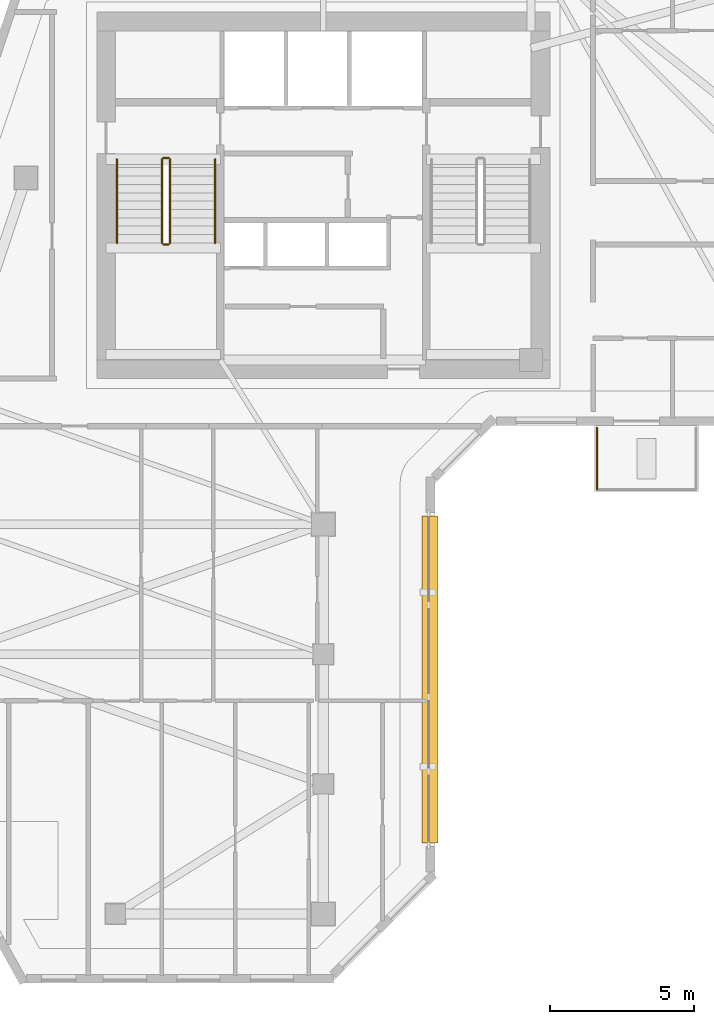
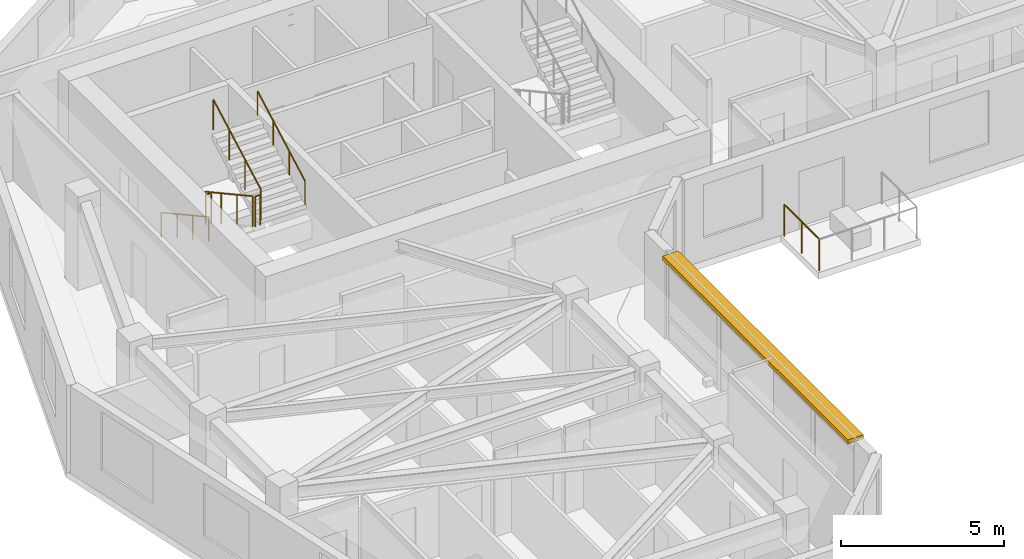
# One storey, part 9 of 11: 7 railings, 1 shading device.
"""IFC4 building model written with IfcOpenShell, lengths in metres."""

from ifc_helpers import new_model, si_unit, direction, frame, frame_2d, origin, origin_2d, place, context, subcontext, project, spatial, rectangle, circle, extrude, material, type_object, element, save


model = new_model("IFC4")

# Units and contexts
model_context = context("Model", 3, precision=1e-05, world=origin(), true_north=direction((0.0, 1.0)))
body_context = subcontext(model_context, "Body", "Model", "MODEL_VIEW")
ifc_project = project(units=[si_unit("LENGTHUNIT", "METRE"), si_unit("AREAUNIT", "SQUARE_METRE"), si_unit("VOLUMEUNIT", "CUBIC_METRE"), si_unit("PLANEANGLEUNIT", "RADIAN"), si_unit("MASSUNIT", "GRAM", prefix="KILO")], contexts=[model_context])

# Site, building, storey
site_placement = place(None, origin())
site = spatial("IfcSite", under=ifc_project, at=site_placement, CompositionType="ELEMENT")
building_placement = place(site_placement, origin())
building = spatial("IfcBuilding", under=site, at=building_placement, Name="Calvemar Wedge Station Tower", CompositionType="ELEMENT")
storey_placement = place(building_placement, frame((0.0, 0.0, 183.39990234375)))
storey = spatial("IfcBuildingStorey", under=building, at=storey_placement, Name="L45", CompositionType="ELEMENT", Elevation=183.39990234375)

# Railings
ifc_material_1 = material(Name="Stainless steel AISI 316L", Category="steel")
railing_type_1 = type_object("IfcRailingType", Name="GRD-TERR-1200", PredefinedType="GUARDRAIL", material=ifc_material_1)
railing_1_placement = place(storey_placement, frame((33.280029296875, 29.7041015625, 0.0)))
element("IfcRailing", 1, at=railing_1_placement, inside=storey, type_object=railing_type_1, Name="Storey L45 Spiral Terrace Guard 4", PredefinedType="GUARDRAIL", context=body_context, shape_type="SweptSolid", body=[
    extrude(circle(Radius=0.02392578125, at=origin_2d()), frame((0.0, 0.0, 1.17578125), z_axis=(0.0, 1.0, 0.0), x_axis=(-1.0, 0.0, 0.0)), (0.0, 0.0, 1.0), 2.139892578125),
    extrude(circle(Radius=0.02099609375, at=origin_2d()), origin(), (0.0, 0.0, 1.0), 1.15185546875),
    extrude(circle(Radius=0.02099609375, at=origin_2d()), frame((0.0, 1.06982421875, 0.0)), (0.0, 0.0, 1.0), 1.15185546875),
    extrude(circle(Radius=0.02099609375, at=origin_2d()), frame((0.0, 2.139892578125, 0.0)), (0.0, 0.0, 1.0), 1.15185546875),
])
railing_type_2 = type_object("IfcRailingType", Name="RL-HANDRAIL-920", PredefinedType="HANDRAIL", material=ifc_material_1)
railing_2_placement = place(storey_placement, frame((16.64990234375, 41.14990234375, 0.1591796875)))
element("IfcRailing", 2, at=railing_2_placement, inside=storey, type_object=railing_type_2, Name="L45 ST-C1 stair handrail 1", PredefinedType="HANDRAIL", context=body_context, shape_type="SweptSolid", body=[
    extrude(circle(Radius=0.02392578125, at=origin_2d()), frame((0.0, 0.0, 0.89599609375), z_axis=(0.0, -0.876742130028, 0.480960744171), x_axis=(1.0, 0.0, 0.0)), (0.0, 0.0, 1.0), 3.3076171875),
    extrude(circle(Radius=0.02099609375, at=origin_2d()), origin(), (0.0, 0.0, 1.0), 0.871826171875),
    extrude(circle(Radius=0.02099609375, at=origin_2d()), frame((0.0, -0.966552734375, 0.5302734375)), (0.0, 0.0, 1.0), 0.871826171875),
    extrude(circle(Radius=0.02099609375, at=origin_2d()), frame((0.0, -1.933349609375, 1.060546875)), (0.0, 0.0, 1.0), 0.871826171875),
    extrude(circle(Radius=0.02099609375, at=origin_2d()), frame((0.0, -2.89990234375, 1.5908203125)), (0.0, 0.0, 1.0), 0.871826171875),
])
railing_3_placement = place(storey_placement, frame((20.050048828125, 38.25, 1.9091796875)))
element("IfcRailing", 3, at=railing_3_placement, inside=storey, type_object=railing_type_2, Name="L45 ST-C1 stair handrail 2", PredefinedType="HANDRAIL", context=body_context, shape_type="SweptSolid", body=[
    extrude(circle(Radius=0.02392578125, at=origin_2d()), frame((0.0, 0.0, 0.89599609375), z_axis=(0.0, 0.876742130028, 0.480960744171), x_axis=(-1.0, 0.0, 0.0)), (0.0, 0.0, 1.0), 3.3076171875),
    extrude(circle(Radius=0.02099609375, at=origin_2d()), origin(), (0.0, 0.0, 1.0), 0.871826171875),
    extrude(circle(Radius=0.02099609375, at=origin_2d()), frame((0.0, 0.966552734375, 0.5302734375)), (0.0, 0.0, 1.0), 0.871826171875),
    extrude(circle(Radius=0.02099609375, at=origin_2d()), frame((0.0, 1.933349609375, 1.060546875)), (0.0, 0.0, 1.0), 0.871826171875),
    extrude(circle(Radius=0.02099609375, at=origin_2d()), frame((0.0, 2.89990234375, 1.5908203125)), (0.0, 0.0, 1.0), 0.871826171875),
])
ifc_material_2 = material(Name="Painted steel guardrail ASTM A500 Grade C", Category="steel")
railing_type_3 = type_object("IfcRailingType", Name="RL-STAIR-GUARD-1150", PredefinedType="GUARDRAIL", material=ifc_material_2)
railing_4_placement = place(storey_placement, frame((18.2099609375, 41.14990234375, 0.1591796875)))
element("IfcRailing", 4, at=railing_4_placement, inside=storey, type_object=railing_type_3, Name="L45 ST-C1 stair guard 1", PredefinedType="GUARDRAIL", context=body_context, shape_type="SweptSolid", body=[
    extrude(circle(Radius=0.02392578125, at=origin_2d()), frame((0.0, 0.0, 1.1259765625), z_axis=(0.0, -0.876742130028, 0.480960744171), x_axis=(1.0, 0.0, 0.0)), (0.0, 0.0, 1.0), 3.3076171875),
    extrude(circle(Radius=0.02099609375, at=origin_2d()), origin(), (0.0, 0.0, 1.0), 1.101806640625),
    extrude(circle(Radius=0.02099609375, at=origin_2d()), frame((0.0, -0.966552734375, 0.5302734375)), (0.0, 0.0, 1.0), 1.101806640625),
    extrude(circle(Radius=0.02099609375, at=origin_2d()), frame((0.0, -1.933349609375, 1.060546875)), (0.0, 0.0, 1.0), 1.101806640625),
    extrude(circle(Radius=0.02099609375, at=origin_2d()), frame((0.0, -2.89990234375, 1.5908203125)), (0.0, 0.0, 1.0), 1.101806640625),
])
railing_5_placement = place(storey_placement, frame((18.260009765625, 38.199951171875, 1.75)))
element("IfcRailing", 5, at=railing_5_placement, inside=storey, type_object=railing_type_3, Name="L45 ST-C1 stair guard 2", PredefinedType="GUARDRAIL", context=body_context, shape_type="SweptSolid", body=[
    extrude(circle(Radius=0.02392578125, at=origin_2d()), frame((0.0, 0.0, 1.1259765625), z_axis=(1.0, 0.0, 0.0), x_axis=(0.0, 1.0, 0.0)), (0.0, 0.0, 1.0), 0.179931640625),
    extrude(circle(Radius=0.02099609375, at=origin_2d()), origin(), (0.0, 0.0, 1.0), 1.101806640625),
    extrude(circle(Radius=0.02099609375, at=origin_2d()), frame((0.179931640625, 0.0, 0.0)), (0.0, 0.0, 1.0), 1.101806640625),
])
railing_6_placement = place(storey_placement, frame((18.489990234375, 38.25, 1.9091796875)))
element("IfcRailing", 6, at=railing_6_placement, inside=storey, type_object=railing_type_3, Name="L45 ST-C1 stair guard 3", PredefinedType="GUARDRAIL", context=body_context, shape_type="SweptSolid", body=[
    extrude(circle(Radius=0.02392578125, at=origin_2d()), frame((0.0, 0.0, 1.1259765625), z_axis=(0.0, 0.876742130028, 0.480960744171), x_axis=(-1.0, 0.0, 0.0)), (0.0, 0.0, 1.0), 3.3076171875),
    extrude(circle(Radius=0.02099609375, at=origin_2d()), origin(), (0.0, 0.0, 1.0), 1.101806640625),
    extrude(circle(Radius=0.02099609375, at=origin_2d()), frame((0.0, 0.966552734375, 0.5302734375)), (0.0, 0.0, 1.0), 1.101806640625),
    extrude(circle(Radius=0.02099609375, at=origin_2d()), frame((0.0, 1.933349609375, 1.060546875)), (0.0, 0.0, 1.0), 1.101806640625),
    extrude(circle(Radius=0.02099609375, at=origin_2d()), frame((0.0, 2.89990234375, 1.5908203125)), (0.0, 0.0, 1.0), 1.101806640625),
])
railing_7_placement = place(storey_placement, frame((18.260009765625, 41.199951171875, 0.0)))
element("IfcRailing", 7, at=railing_7_placement, inside=storey, type_object=railing_type_3, Name="L45 ST-C1 stair guard 4", PredefinedType="GUARDRAIL", context=body_context, shape_type="SweptSolid", body=[
    extrude(circle(Radius=0.02392578125, at=origin_2d()), frame((0.0, 0.0, 1.1259765625), z_axis=(1.0, 0.0, 0.0), x_axis=(0.0, 1.0, 0.0)), (0.0, 0.0, 1.0), 0.179931640625),
    extrude(circle(Radius=0.02099609375, at=origin_2d()), origin(), (0.0, 0.0, 1.0), 1.101806640625),
    extrude(circle(Radius=0.02099609375, at=origin_2d()), frame((0.179931640625, 0.0, 0.0)), (0.0, 0.0, 1.0), 1.101806640625),
])

# Shading device
ifc_material_3 = material(Name="Precast concrete C45", Category="concrete")
shading_device_type = type_object("IfcShadingDeviceType", Name="SHD-EYEBROW-1", PredefinedType="SHUTTER", material=ifc_material_3)
shading_device_placement = place(storey_placement, frame((27.493896484375, 17.462158203125, 3.070068359375), z_axis=(0.0, 0.0, 1.0), x_axis=(0.0, 1.0, 0.0)))
element("IfcShadingDevice", 8, at=shading_device_placement, inside=storey, type_object=shading_device_type, Name="Storey L45 Bronze GFRC Solar Eyebrow 4", PredefinedType="SHUTTER", context=body_context, shape_type="SweptSolid", body=[
    extrude(rectangle(XDim=11.323974609375, YDim=0.550048828125, at=frame_2d((5.662109375, 0.0))), origin(), (0.0, 0.0, 1.0), 0.159912109375),
])

save(model, "model.ifc")
